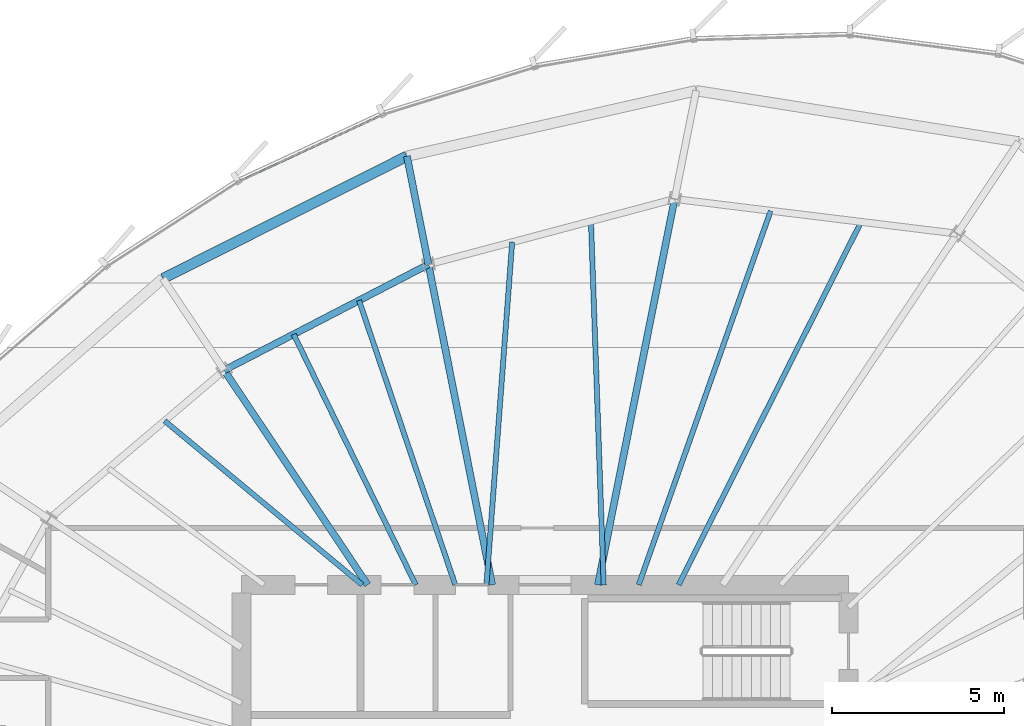
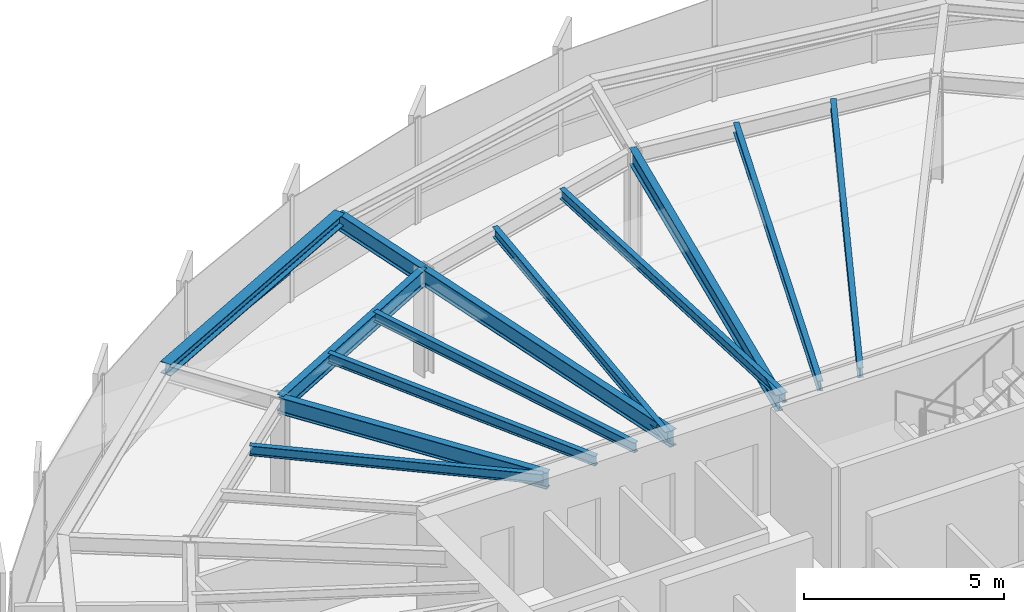
# One storey, part 22 of 34: 13 beams, 1 member, 1 element without a shape of its own.
"""IFC4 building model written with IfcOpenShell, lengths in metres."""

import ifcopenshell
import ifcopenshell.guid

model = None  # the IFC model being written
_history = None  # IfcOwnerHistory: only IFC2X3 demands one
_inside = {}  # id of a spatial element -> (the spatial element, [elements in it])
_under = {}  # id of a project, library or spatial element -> (it, [spatial elements below it])
_declared = {}  # id of a project -> (the project, [libraries it declares])
_typed = {}  # id of a type object -> (the type object, [elements of that type])
_made_of = {}  # id of a material, layer set ... -> (it, [elements and type objects made of it])


def new_model(schema):
    """Start an empty IFC model of exactly this schema.

    Asked for "IFC4X3", IfcOpenShell would pick the latest addendum, in which some entities
    have other attributes; the version numbers below select the first issue.
    IFC2X3 requires an IfcOwnerHistory on every rooted entity: one is made here for all.
    """
    global model, _history
    if schema == "IFC4X3":
        model = ifcopenshell.file(schema_version=(4, 3, 0, 0))
    else:
        model = ifcopenshell.file(schema=schema)
    _inside.clear()
    _under.clear()
    _declared.clear()
    _typed.clear()
    _made_of.clear()
    _history = None
    if model.schema == "IFC2X3":
        org = make("IfcOrganization", Name="unknown")
        user = make(
            "IfcPersonAndOrganization",
            ThePerson=make("IfcPerson", FamilyName="unknown"),
            TheOrganization=org,
        )
        app = make(
            "IfcApplication",
            ApplicationDeveloper=org,
            Version="unknown",
            ApplicationFullName="unknown",
            ApplicationIdentifier="unknown",
        )
        _history = make(
            "IfcOwnerHistory",
            OwningUser=user,
            OwningApplication=app,
            ChangeAction="ADDED",
            CreationDate=0,
        )
    return model


def make(cls, **values):
    """One entity of the class cls with the attributes given. An attribute that is None is left unset."""
    return model.create_entity(
        cls, **{name: value for name, value in values.items() if value is not None}
    )


def rooted(cls, **values):
    """An entity with a GlobalId (a new one), such as an element, a storey or a relation."""
    return make(cls, GlobalId=ifcopenshell.guid.new(), OwnerHistory=_history, **values)


def si_unit(unit_type, name, prefix=None):
    """IfcSIUnit, for example si_unit("LENGTHUNIT", "METRE", prefix="MILLI")."""
    return make("IfcSIUnit", UnitType=unit_type, Prefix=prefix, Name=name)


def assignment(units):
    """IfcUnitAssignment: the units of a project."""
    return None if units is None else make("IfcUnitAssignment", Units=units)


def point(xyz):
    """IfcCartesianPoint."""
    return None if xyz is None else make("IfcCartesianPoint", Coordinates=xyz)


def direction(xyz):
    """IfcDirection."""
    return None if xyz is None else make("IfcDirection", DirectionRatios=xyz)


def frame(location, z_axis=None, x_axis=None):
    """IfcAxis2Placement3D, a coordinate frame: its origin and axes. An axis left out is left unset."""
    return make(
        "IfcAxis2Placement3D",
        Location=point(location),
        Axis=direction(z_axis),
        RefDirection=direction(x_axis),
    )


def frame_2d(location, x_axis=None):
    """IfcAxis2Placement2D, a coordinate frame in the plane: its origin and x axis."""
    return make(
        "IfcAxis2Placement2D", Location=point(location), RefDirection=direction(x_axis)
    )


def origin():
    """The frame at (0, 0, 0) with its axes left unset."""
    return frame((0.0, 0.0, 0.0))


def origin_2d():
    """The frame at (0, 0) in the plane with its x axis left unset."""
    return frame_2d((0.0, 0.0))


def place(relative_to, where):
    """IfcLocalPlacement: puts the frame where relative to a parent placement (None: the world)."""
    return make(
        "IfcLocalPlacement", PlacementRelTo=relative_to, RelativePlacement=where
    )


def context(
    kind, dimensions, precision=None, world=None, true_north=None, identifier=None
):
    """IfcGeometricRepresentationContext, for example the 3D "Model" context."""
    return make(
        "IfcGeometricRepresentationContext",
        ContextIdentifier=identifier,
        ContextType=kind,
        CoordinateSpaceDimension=dimensions,
        Precision=precision,
        WorldCoordinateSystem=world,
        TrueNorth=true_north,
    )


def subcontext(parent, identifier, kind, view, scale=None):
    """IfcGeometricRepresentationSubContext, for example "Body" below "Model"."""
    return make(
        "IfcGeometricRepresentationSubContext",
        ContextIdentifier=identifier,
        ContextType=kind,
        ParentContext=parent,
        TargetScale=scale,
        TargetView=view,
    )


def project(units=None, contexts=None):
    """IfcProject with its units and contexts."""
    return rooted(
        "IfcProject",
        Name="project",
        RepresentationContexts=contexts,
        UnitsInContext=assignment(units),
    )


def spatial(cls, under=None, at=None, **own):
    """A site, building, storey or space (cls), placed at a placement, below another one or the project."""
    s = rooted(cls, ObjectPlacement=at, **own)
    if under is not None:
        _under.setdefault(under.id(), (under, []))[1].append(s)
    return s


def profile(cls, at=None, kind="AREA", **sizes):
    """A parametric profile (cls). Its sizes go by their IFC names, for example OverallWidth=200.0."""
    return make(cls, ProfileType=kind, Position=at, **sizes)


def hollow_rectangle(**sizes):
    """IfcRectangleHollowProfileDef."""
    return profile("IfcRectangleHollowProfileDef", **sizes)


def i_section(**sizes):
    """IfcIShapeProfileDef."""
    return profile("IfcIShapeProfileDef", **sizes)


def extrude(swept, where, along, depth):
    """IfcExtrudedAreaSolid: the profile swept, set in the frame where, extruded along a direction by depth."""
    return make(
        "IfcExtrudedAreaSolid",
        SweptArea=swept,
        Position=where,
        ExtrudedDirection=direction(along),
        Depth=depth,
    )


def shape(context_of_items, identifier, shape_type, items):
    """IfcShapeRepresentation: the items that make up one representation, for example the "Body"."""
    return make(
        "IfcShapeRepresentation",
        ContextOfItems=context_of_items,
        RepresentationIdentifier=identifier,
        RepresentationType=shape_type,
        Items=items,
    )


def source(mapping_origin, context_of_items, identifier, shape_type, items):
    """IfcRepresentationMap: a shape defined once, which mapped items show again and again."""
    return make(
        "IfcRepresentationMap",
        MappingOrigin=mapping_origin,
        MappedRepresentation=shape(context_of_items, identifier, shape_type, items),
    )


def transform(
    local_origin,
    x_axis=None,
    y_axis=None,
    z_axis=None,
    scale=None,
    scale2=None,
    scale3=None,
    uniform=True,
):
    """IfcCartesianTransformationOperator3D, or its non-uniform kind. x_axis, y_axis, z_axis: its Axis1, 2, 3."""
    if uniform:
        return make(
            "IfcCartesianTransformationOperator3D",
            Axis1=direction(x_axis),
            Axis2=direction(y_axis),
            LocalOrigin=point(local_origin),
            Scale=scale,
            Axis3=direction(z_axis),
        )
    return make(
        "IfcCartesianTransformationOperator3DnonUniform",
        Axis1=direction(x_axis),
        Axis2=direction(y_axis),
        LocalOrigin=point(local_origin),
        Scale=scale,
        Axis3=direction(z_axis),
        Scale2=scale2,
        Scale3=scale3,
    )


def mapped(mapping_source, mapping_target):
    """IfcMappedItem: shows the shape of a source again, moved by a transform."""
    return make(
        "IfcMappedItem", MappingSource=mapping_source, MappingTarget=mapping_target
    )


def material(Name=None, Category=None):
    """IfcMaterial."""
    return make("IfcMaterial", Name=Name, Category=Category)


def layer(
    of_material, thickness, ventilated=None, Name=None, Category=None, Priority=None
):
    """IfcMaterialLayer: one layer of a wall or slab, of a material (None: an air gap)."""
    return make(
        "IfcMaterialLayer",
        Material=of_material,
        LayerThickness=thickness,
        IsVentilated=ventilated,
        Name=Name,
        Category=Category,
        Priority=Priority,
    )


def layer_set(layers, Name=None):
    """IfcMaterialLayerSet."""
    return make("IfcMaterialLayerSet", MaterialLayers=layers, LayerSetName=Name)


def material_profile(
    of_material, cross_section, Name=None, Category=None, Priority=None
):
    """IfcMaterialProfile: a cross section and its material."""
    return make(
        "IfcMaterialProfile",
        Name=Name,
        Material=of_material,
        Profile=cross_section,
        Priority=Priority,
        Category=Category,
    )


def profile_set(profiles, Name=None, composite=None):
    """IfcMaterialProfileSet."""
    return make(
        "IfcMaterialProfileSet",
        Name=Name,
        MaterialProfiles=profiles,
        CompositeProfile=composite,
    )


def made_of(thing, what):
    """Note that an element or type object is made of a material, layer set ...; save() writes the relation."""
    if what is not None:
        _made_of.setdefault(what.id(), (what, []))[1].append(thing)
    return thing


def type_object(cls, material=None, **own):
    """A type object (cls), such as IfcWallType, which elements share."""
    return made_of(rooted(cls, **own), material)


def element(
    cls,
    number,
    at=None,
    inside=None,
    cuts=None,
    type_object=None,
    material=None,
    context=None,
    identifier="Body",
    shape_type=None,
    held_by="IfcProductDefinitionShape",
    body=None,
    shapes=None,
    **own,
):
    """One element of the class cls, such as IfcWall. Its Tag is "e" and its number.

    at: its placement. inside: the storey or other place that contains it. cuts: it is an
    opening in that element (IfcRelVoidsElement). A single representation is given by context,
    identifier, shape_type and body (its items); several are given by shapes. held_by: the class
    of the entity that holds the representations. save() writes the other relations.
    """
    e = rooted(cls, Tag="e%d" % number, ObjectPlacement=at, **own)
    if body is not None:
        shapes = [shape(context, identifier, shape_type, body)]
    if shapes is not None:
        e.Representation = make(held_by, Representations=shapes)
    if inside is not None:
        _inside.setdefault(inside.id(), (inside, []))[1].append(e)
    if cuts is not None:
        rooted(
            "IfcRelVoidsElement", RelatingBuildingElement=cuts, RelatedOpeningElement=e
        )
    if type_object is not None:
        _typed.setdefault(type_object.id(), (type_object, []))[1].append(e)
    return made_of(e, material)


def aggregate(whole, parts):
    """IfcRelAggregates: a whole, such as a stair, and the parts it consists of."""
    return rooted("IfcRelAggregates", RelatingObject=whole, RelatedObjects=parts)


def save(model, path):
    """Write the relations noted so far, then the file.

    IfcRelAggregates (storeys below a building ...), IfcRelContainedInSpatialStructure (elements
    in a storey), IfcRelDefinesByType, IfcRelAssociatesMaterial and IfcRelDeclares: one each for
    every whole, place, type object, material and project.
    """
    for whole, parts in _under.values():
        aggregate(whole, parts)
    for where, things in _inside.values():
        rooted(
            "IfcRelContainedInSpatialStructure",
            RelatedElements=things,
            RelatingStructure=where,
        )
    for kind, things in _typed.values():
        rooted("IfcRelDefinesByType", RelatedObjects=things, RelatingType=kind)
    for what, things in _made_of.values():
        rooted("IfcRelAssociatesMaterial", RelatedObjects=things, RelatingMaterial=what)
    for by, libraries in _declared.values():
        rooted("IfcRelDeclares", RelatingContext=by, RelatedDefinitions=libraries)
    model.write(path)


model = new_model("IFC4")

# Units and contexts
model_context = context("Model", 3, precision=1e-05, world=origin(), true_north=direction((0.0, 1.0)))
body_context = subcontext(model_context, "Body", "Model", "MODEL_VIEW")
ifc_project = project(units=[si_unit("LENGTHUNIT", "METRE"), si_unit("AREAUNIT", "SQUARE_METRE"), si_unit("VOLUMEUNIT", "CUBIC_METRE"), si_unit("PLANEANGLEUNIT", "RADIAN"), si_unit("MASSUNIT", "GRAM", prefix="KILO"), si_unit("THERMODYNAMICTEMPERATUREUNIT", "KELVIN")], contexts=[model_context])

# Site, building, storey
site_placement = place(None, origin())
site = spatial("IfcSite", under=ifc_project, at=site_placement, CompositionType="ELEMENT")
building_placement = place(site_placement, origin())
building = spatial("IfcBuilding", under=site, at=building_placement, Name="Kethvar Cultural Tower", CompositionType="ELEMENT")
storey_placement = place(building_placement, frame((0.0, 0.0, 183.39990234375)))
storey = spatial("IfcBuildingStorey", under=building, at=storey_placement, Name="L47", CompositionType="ELEMENT", Elevation=183.39990234375)

# Beams
ifc_material_1 = material(Name="Steel S355J2", Category="steel")
ifc_material_profile_1 = material_profile(ifc_material_1, i_section(OverallWidth=0.199951171875, OverallDepth=0.5, WebThickness=0.01025390625, FlangeThickness=0.01611328125, FilletRadius=0.02099609375, at=origin_2d()), Name="Steel S355J2 — IPE500")
ifc_profile_set_1 = profile_set([ifc_material_profile_1], Name="Steel S355J2 — IPE500")
beam_type_1 = type_object("IfcBeamType", Name="BM-IPE500", PredefinedType="BEAM", material=ifc_profile_set_1)
shared_shape_1 = source(origin(), body_context, "Body", "SweptSolid", [
    extrude(i_section(OverallWidth=0.199951171875, OverallDepth=0.5, WebThickness=0.01025390625, FlangeThickness=0.01611328125, FilletRadius=0.02099609375, at=origin_2d()), origin(), (0.0, 0.0, 1.0), 3.199951171875),
])
beam_1_placement = place(storey_placement, frame((43.420654296875, 44.789306640625, 3.008056640625), z_axis=(-0.195088965533, 0.980785550224, 0.0), x_axis=(-0.980785550224, -0.195088965533, 0.0)))
element("IfcBeam", 1, at=beam_1_placement, inside=storey, type_object=beam_type_1, Name="L47 Perimeter Cantilever Beam RC-05", PredefinedType="BEAM", context=body_context, shape_type="MappedRepresentation", body=[
    mapped(shared_shape_1, transform((0.0, 0.0, 0.0), scale=1.0)),
])
shared_shape_2 = source(origin(), body_context, "Body", "SweptSolid", [
    extrude(i_section(OverallWidth=0.199951171875, OverallDepth=0.5, WebThickness=0.01025390625, FlangeThickness=0.01611328125, FilletRadius=0.02099609375, at=origin_2d()), origin(), (0.0, 0.0, 1.0), 11.40673828125),
])
beam_2_placement = place(storey_placement, frame((48.33154296875, 35.5, 3.008056640625), z_axis=(0.195091138918, 0.980785117911, 0.0), x_axis=(-0.980785117911, 0.195091138918, 0.0)))
element("IfcBeam", 2, at=beam_2_placement, inside=storey, type_object=beam_type_1, Name="L47 Primary Radial Beam RB-04", PredefinedType="BEAM", context=body_context, shape_type="MappedRepresentation", body=[
    mapped(shared_shape_2, transform((0.0, 0.0, 0.0), scale=1.0)),
])
shared_shape_3 = source(origin(), body_context, "Body", "SweptSolid", [
    extrude(i_section(OverallWidth=0.199951171875, OverallDepth=0.5, WebThickness=0.01025390625, FlangeThickness=0.01611328125, FilletRadius=0.02099609375, at=origin_2d()), origin(), (0.0, 0.0, 1.0), 9.47119140625),
])
beam_3_placement = place(storey_placement, frame((45.268310546875, 35.5, 3.008056640625), z_axis=(-0.195079990396, 0.980787335434, 0.0), x_axis=(-0.980787335434, -0.195079990396, 0.0)))
element("IfcBeam", 3, at=beam_3_placement, inside=storey, type_object=beam_type_1, Name="L47 Primary Radial Beam RB-05", PredefinedType="BEAM", context=body_context, shape_type="MappedRepresentation", body=[
    mapped(shared_shape_3, transform((0.0, 0.0, 0.0), scale=1.0)),
])
shared_shape_4 = source(origin(), body_context, "Body", "SweptSolid", [
    extrude(i_section(OverallWidth=0.199951171875, OverallDepth=0.5, WebThickness=0.01025390625, FlangeThickness=0.01611328125, FilletRadius=0.02099609375, at=origin_2d()), origin(), (0.0, 0.0, 1.0), 7.481201171875),
])
beam_4_placement = place(storey_placement, frame((41.655029296875, 35.5, 3.008056640625), z_axis=(-0.55555842186, 0.831477504146, 0.0), x_axis=(-0.831477504146, -0.55555842186, 0.0)))
element("IfcBeam", 4, at=beam_4_placement, inside=storey, type_object=beam_type_1, Name="L47 Primary Radial Beam RB-06", PredefinedType="BEAM", context=body_context, shape_type="MappedRepresentation", body=[
    mapped(shared_shape_4, transform((0.0, 0.0, 0.0), scale=1.0)),
])
ifc_material_profile_2 = material_profile(ifc_material_1, i_section(OverallWidth=0.14990234375, OverallDepth=0.300048828125, WebThickness=0.007080078125, FlangeThickness=0.0107421875, FilletRadius=0.014892578125, at=origin_2d()), Name="Steel S355J2 — IPE300")
ifc_profile_set_2 = profile_set([ifc_material_profile_2], Name="Steel S355J2 — IPE300")
beam_type_2 = type_object("IfcBeamType", Name="BM-J300", PredefinedType="JOIST", material=ifc_profile_set_2)
shared_shape_5 = source(origin(), body_context, "Body", "SweptSolid", [
    extrude(i_section(OverallWidth=0.14990234375, OverallDepth=0.300048828125, WebThickness=0.007080078125, FlangeThickness=0.0107421875, FilletRadius=0.014892578125, at=origin_2d()), origin(), (0.0, 0.0, 1.0), 11.77880859375),
])
beam_5_placement = place(storey_placement, frame((50.671630859375, 35.5, 3.108154296875), z_axis=(0.449218855458, 0.893421748057, 0.0), x_axis=(-0.893421748057, 0.449218855458, 0.0)))
element("IfcBeam", 5, at=beam_5_placement, inside=storey, type_object=beam_type_2, Name="L47 Composite Floor Joist J-03A", PredefinedType="JOIST", context=body_context, shape_type="MappedRepresentation", body=[
    mapped(shared_shape_5, transform((0.0, 0.0, 0.0), scale=1.0)),
])
shared_shape_6 = source(origin(), body_context, "Body", "SweptSolid", [
    extrude(i_section(OverallWidth=0.14990234375, OverallDepth=0.300048828125, WebThickness=0.007080078125, FlangeThickness=0.0107421875, FilletRadius=0.014892578125, at=origin_2d()), origin(), (0.0, 0.0, 1.0), 11.50048828125),
])
beam_6_placement = place(storey_placement, frame((49.51611328125, 35.5, 3.108154296875), z_axis=(0.332655768875, 0.943048322958, 0.0), x_axis=(-0.943048322958, 0.332655768875, 0.0)))
element("IfcBeam", 6, at=beam_6_placement, inside=storey, type_object=beam_type_2, Name="L47 Composite Floor Joist J-03B", PredefinedType="JOIST", context=body_context, shape_type="MappedRepresentation", body=[
    mapped(shared_shape_6, transform((0.0, 0.0, 0.0), scale=1.0)),
])
shared_shape_7 = source(origin(), body_context, "Body", "SweptSolid", [
    extrude(i_section(OverallWidth=0.14990234375, OverallDepth=0.300048828125, WebThickness=0.007080078125, FlangeThickness=0.0107421875, FilletRadius=0.014892578125, at=origin_2d()), origin(), (0.0, 0.0, 1.0), 10.54833984375),
])
beam_7_placement = place(storey_placement, frame((48.5, 35.5, 3.108154296875), z_axis=(-0.035017879941, 0.999386685965, 0.0), x_axis=(-0.999386685965, -0.035017879941, 0.0)))
element("IfcBeam", 7, at=beam_7_placement, inside=storey, type_object=beam_type_2, Name="L47 Composite Floor Joist J-04A", PredefinedType="JOIST", context=body_context, shape_type="MappedRepresentation", body=[
    mapped(shared_shape_7, transform((0.0, 0.0, 0.0), scale=1.0)),
])
shared_shape_8 = source(origin(), body_context, "Body", "SweptSolid", [
    extrude(i_section(OverallWidth=0.14990234375, OverallDepth=0.300048828125, WebThickness=0.007080078125, FlangeThickness=0.0107421875, FilletRadius=0.014892578125, at=origin_2d()), origin(), (0.0, 0.0, 1.0), 9.962646484375),
])
beam_8_placement = place(storey_placement, frame((45.10009765625, 35.5, 3.108154296875), z_axis=(0.074962964429, 0.99718631858, 0.0), x_axis=(-0.99718631858, 0.074962964429, 0.0)))
element("IfcBeam", 8, at=beam_8_placement, inside=storey, type_object=beam_type_2, Name="L47 Composite Floor Joist J-04B", PredefinedType="JOIST", context=body_context, shape_type="MappedRepresentation", body=[
    mapped(shared_shape_8, transform((0.0, 0.0, 0.0), scale=1.0)),
])
shared_shape_9 = source(origin(), body_context, "Body", "SweptSolid", [
    extrude(i_section(OverallWidth=0.199951171875, OverallDepth=0.5, WebThickness=0.01025390625, FlangeThickness=0.01611328125, FilletRadius=0.02099609375, at=origin_2d()), origin(), (0.0, 0.0, 1.0), 6.669921875),
])
beam_9_placement = place(storey_placement, frame((43.420654296875, 44.789306640625, 3.008056640625), z_axis=(-0.887861983948, -0.460109875421, 0.0), x_axis=(0.460109875421, -0.887861983948, 0.0)))
element("IfcBeam", 9, at=beam_9_placement, inside=storey, type_object=beam_type_1, Name="L47 Column Ring Tie Beam CR-05", PredefinedType="BEAM", context=body_context, shape_type="MappedRepresentation", body=[
    mapped(shared_shape_9, transform((0.0, 0.0, 0.0), scale=1.0)),
])
ifc_material_profile_3 = material_profile(ifc_material_1, i_section(OverallWidth=0.300048828125, OverallDepth=0.360107421875, WebThickness=0.012451171875, FlangeThickness=0.0224609375, FilletRadius=0.027099609375, at=origin_2d()), Name="Steel S355J2 — HEB360")
ifc_profile_set_3 = profile_set([ifc_material_profile_3], Name="Steel S355J2 — HEB360")
beam_type_3 = type_object("IfcBeamType", Name="BM-SP360", PredefinedType="SPANDREL", material=ifc_profile_set_3)
shared_shape_10 = source(origin(), body_context, "Body", "SweptSolid", [
    extrude(i_section(OverallWidth=0.300048828125, OverallDepth=0.360107421875, WebThickness=0.012451171875, FlangeThickness=0.0224609375, FilletRadius=0.027099609375, at=origin_2d()), origin(), (0.0, 0.0, 1.0), 7.91455078125),
])
beam_10_placement = place(storey_placement, frame((42.79638671875, 47.927734375, 3.078125), z_axis=(-0.893976371529, -0.44811410059, 0.0), x_axis=(0.44811410059, -0.893976371529, 0.0)))
element("IfcBeam", 10, at=beam_10_placement, inside=storey, type_object=beam_type_3, Name="L47 Perimeter Spandrel Beam SP-05", PredefinedType="SPANDREL", context=body_context, shape_type="MappedRepresentation", body=[
    mapped(shared_shape_10, transform((0.0, 0.0, 0.0), scale=1.0)),
])
shared_shape_11 = source(origin(), body_context, "Body", "SweptSolid", [
    extrude(i_section(OverallWidth=0.14990234375, OverallDepth=0.300048828125, WebThickness=0.007080078125, FlangeThickness=0.0107421875, FilletRadius=0.014892578125, at=origin_2d()), origin(), (0.0, 0.0, 1.0), 8.70458984375),
])
beam_11_placement = place(storey_placement, frame((44.19580078125, 35.5, 3.108154296875), z_axis=(-0.320356133074, 0.947297180404, 0.0), x_axis=(-0.947297180404, -0.320356133074, 0.0)))
element("IfcBeam", 11, at=beam_11_placement, inside=storey, type_object=beam_type_2, Name="L47 Composite Floor Joist J-05A", PredefinedType="JOIST", context=body_context, shape_type="MappedRepresentation", body=[
    mapped(shared_shape_11, transform((0.0, 0.0, 0.0), scale=1.0)),
])
shared_shape_12 = source(origin(), body_context, "Body", "SweptSolid", [
    extrude(i_section(OverallWidth=0.14990234375, OverallDepth=0.300048828125, WebThickness=0.007080078125, FlangeThickness=0.0107421875, FilletRadius=0.014892578125, at=origin_2d()), origin(), (0.0, 0.0, 1.0), 8.07958984375),
])
beam_12_placement = place(storey_placement, frame((43.0498046875, 35.5, 3.108154296875), z_axis=(-0.437846062021, 0.89904995744, 0.0), x_axis=(-0.89904995744, -0.437846062021, 0.0)))
element("IfcBeam", 12, at=beam_12_placement, inside=storey, type_object=beam_type_2, Name="L47 Composite Floor Joist J-05B", PredefinedType="JOIST", context=body_context, shape_type="MappedRepresentation", body=[
    mapped(shared_shape_12, transform((0.0, 0.0, 0.0), scale=1.0)),
])
shared_shape_13 = source(origin(), body_context, "Body", "SweptSolid", [
    extrude(i_section(OverallWidth=0.14990234375, OverallDepth=0.300048828125, WebThickness=0.007080078125, FlangeThickness=0.0107421875, FilletRadius=0.014892578125, at=origin_2d()), origin(), (0.0, 0.0, 1.0), 7.444580078125),
])
beam_13_placement = place(storey_placement, frame((41.5, 35.5, 3.108154296875), z_axis=(-0.769483166858, 0.638667093188, 0.0), x_axis=(-0.638667093188, -0.769483166858, 0.0)))
element("IfcBeam", 13, at=beam_13_placement, inside=storey, type_object=beam_type_2, Name="L47 Composite Floor Joist J-06A", PredefinedType="JOIST", context=body_context, shape_type="MappedRepresentation", body=[
    mapped(shared_shape_13, transform((0.0, 0.0, 0.0), scale=1.0)),
])

# Curtain wall, member
ifc_material_2 = material(Name="Aluminium 6063-T6", Category="aluminium")
ifc_layer = layer(ifc_material_2, 0.179931640625, Name="Aluminium 6063-T6", Category="aluminium")
ifc_layer_set = layer_set([ifc_layer], Name="Aluminium 6063-T6 (180 mm)")
curtain_wall_type = type_object("IfcCurtainWallType", Name="CW-SYS-04-Z34", PredefinedType="NOTDEFINED", material=ifc_layer_set)
curtain_wall_placement = place(storey_placement, origin())
curtain_wall = element("IfcCurtainWall", 14, at=curtain_wall_placement, inside=storey, type_object=curtain_wall_type, Name="L47 Curtain Wall Run 02", PredefinedType="NOTDEFINED")
ifc_material_profile_4 = material_profile(ifc_material_2, hollow_rectangle(XDim=0.050048828125, YDim=0.10009765625, WallThickness=0.00390625, at=origin_2d()), Name="Aluminium 6063-T6 — RHS100x50x4")
ifc_profile_set_4 = profile_set([ifc_material_profile_4], Name="Aluminium 6063-T6 — RHS100x50x4")
member_type = type_object("IfcMemberType", Name="CW-SYS-04-Z34-TRN", PredefinedType="USERDEFINED", material=ifc_profile_set_4)
shared_shape_14 = source(origin(), body_context, "Body", "SweptSolid", [
    extrude(hollow_rectangle(XDim=0.050048828125, YDim=0.10009765625, WallThickness=0.00390625, at=origin_2d()), origin(), (0.0, 0.0, 1.0), 4.540283203125),
])
member_placement = place(storey_placement, frame((42.054931640625, 49.11376953125, 0.9501953125), z_axis=(-0.906868816324, -0.42141303964, 0.0), x_axis=(0.42141303964, -0.906868816324, 0.0)))
member = element("IfcMember", 15, at=member_placement, type_object=member_type, Name="CW-L47-R02 Transom 2", ObjectType="TRANSOM", PredefinedType="USERDEFINED", context=body_context, shape_type="MappedRepresentation", body=[
    mapped(shared_shape_14, transform((0.0, 0.0, 0.0), scale=1.0)),
])
aggregate(curtain_wall, [member])

save(model, "model.ifc")
